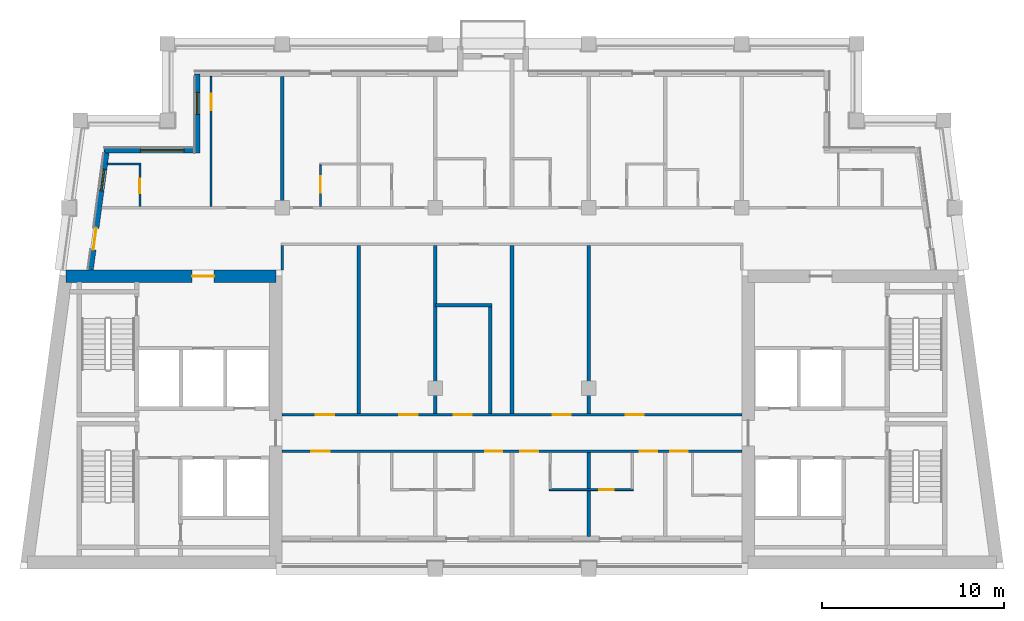
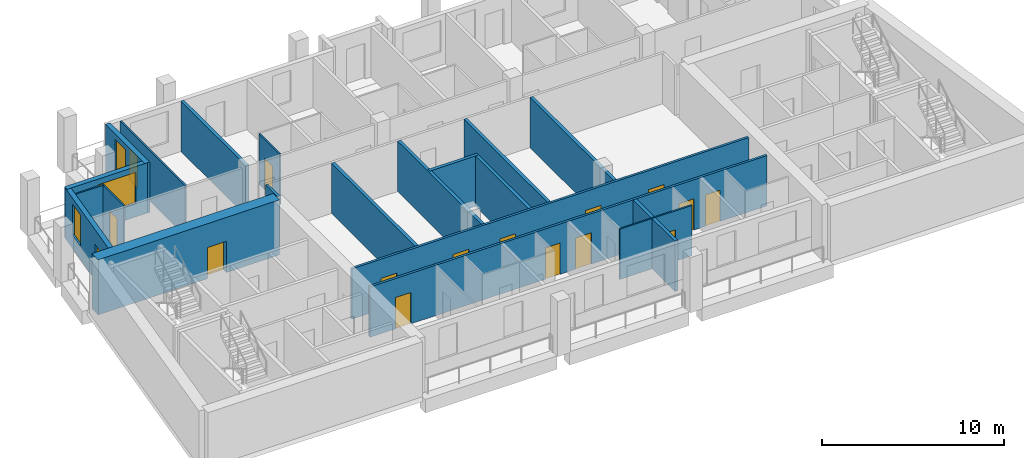
# One storey, part 3 of 9: 20 walls, 16 doors, 3 windows, 19 openings.
"""IFC4 building model written with IfcOpenShell, lengths in metres."""

from ifc_helpers import new_model, si_unit, direction, frame, frame_2d, origin, place, context, subcontext, project, spatial, rectangle, extrude, material, layer, layer_set, type_object, element, fill, save


model = new_model("IFC4")

# Units and contexts
model_context = context("Model", 3, precision=1e-05, world=origin(), true_north=direction((0.0, 1.0)))
body_context = subcontext(model_context, "Body", "Model", "MODEL_VIEW")
ifc_project = project(units=[si_unit("LENGTHUNIT", "METRE"), si_unit("AREAUNIT", "SQUARE_METRE"), si_unit("VOLUMEUNIT", "CUBIC_METRE"), si_unit("PLANEANGLEUNIT", "RADIAN"), si_unit("MASSUNIT", "GRAM", prefix="KILO")], contexts=[model_context])

# Site, building, storey
site_placement = place(None, origin())
site = spatial("IfcSite", under=ifc_project, at=site_placement, CompositionType="ELEMENT")
building_placement = place(site_placement, origin())
building = spatial("IfcBuilding", under=site, at=building_placement, Name="Candeia Pilgrim Tower and Theatre", CompositionType="ELEMENT")
storey_placement = place(building_placement, frame((0.0, 0.0, 296.0)))
storey = spatial("IfcBuildingStorey", under=building, at=storey_placement, Name="L72", CompositionType="ELEMENT", Elevation=296.0)

# Wall, opening, door
ifc_material_1 = material(Name="Concrete C40/50", Category="concrete")
ifc_layer_1 = layer(ifc_material_1, 0.699951171875)
ifc_layer_set_1 = layer_set([ifc_layer_1], Name="Core wall 700 C40/50")
wall_type_1 = type_object("IfcWallType", Name="Core wall 700 C40/50", PredefinedType="SHEAR", material=ifc_layer_set_1)
wall_1_placement = place(storey_placement, frame((88.936767578125, 132.050048828125, 0.0), z_axis=(0.0, 0.0, 1.0), x_axis=(1.0, 0.0, 0.0)))
wall_1 = element("IfcWall", 1, at=wall_1_placement, inside=storey, type_object=wall_type_1, Name="Core wall W1", PredefinedType="SHEAR", context=body_context, shape_type="SweptSolid", body=[
    extrude(rectangle(XDim=11.51318359375, YDim=0.699951171875, at=frame_2d((5.756591796875, 0.0))), origin(), (0.0, 0.0, 1.0), 3.699951171875),
])
opening_1_placement = place(wall_1_placement, frame((6.9267578125, 0.0, 0.0)))
opening_1 = element("IfcOpeningElement", 2, at=opening_1_placement, cuts=wall_1, Name="Opening L72-D044", PredefinedType="OPENING", context=body_context, shape_type="SweptSolid", body=[
    extrude(rectangle(XDim=1.199951171875, YDim=2.10009765625, at=frame_2d((0.60009765625, 1.050048828125))), frame((0.0, 0.35986328125, 0.0), z_axis=(0.0, -1.0, 0.0), x_axis=(1.0, 0.0, 0.0)), (0.0, 0.0, 1.0), 0.719970703125),
])
ifc_material_2 = material(Name="Steel fire door set", Category="steel")
door_type_1 = type_object("IfcDoorType", Name="D-1200-FD60", OperationType="NOTDEFINED", PredefinedType="DOOR", material=ifc_material_2)
door_1_placement = place(opening_1_placement, origin())
door_1 = element("IfcDoor", 3, at=door_1_placement, inside=storey, type_object=door_type_1, Name="Door L72-D044", OperationType="SINGLE_SWING_RIGHT", OverallHeight=2.10009765625, OverallWidth=1.199951171875, PredefinedType="DOOR", context=body_context, shape_type="SweptSolid", body=[
    extrude(rectangle(XDim=1.199951171875, YDim=2.10009765625, at=frame_2d((0.60009765625, 1.050048828125))), frame((0.0, 0.02490234375, 0.0), z_axis=(0.0, -1.0, 0.0), x_axis=(1.0, 0.0, 0.0)), (0.0, 0.0, 1.0), 0.050048828125),
])
fill(opening_1, door_1)

# Wall, openings, door, window
ifc_material_3 = material(Name="Ceramic block masonry", Category="masonry")
ifc_layer_2 = layer(ifc_material_3, 0.300048828125)
ifc_layer_set_2 = layer_set([ifc_layer_2], Name="EW1 glazing-line wall 300")
wall_type_2 = type_object("IfcWallType", Name="EW1 glazing-line wall 300", PredefinedType="SOLIDWALL", material=ifc_layer_set_2)
wall_2_placement = place(storey_placement, frame((91.177490234375, 138.949951171875, 0.0), z_axis=(0.0, 0.0, 1.0), x_axis=(-0.133426664613, -0.991058689065, 0.0)))
wall_2 = element("IfcWall", 4, at=wall_2_placement, inside=storey, type_object=wall_type_2, Name="External wall L72-0.0", PredefinedType="SOLIDWALL", context=body_context, shape_type="SweptSolid", body=[
    extrude(rectangle(XDim=6.609130859375, YDim=0.300048828125, at=frame_2d((3.3046875, 0.0))), origin(), (0.0, 0.0, 1.0), 3.3798828125),
])
opening_2_placement = place(wall_2_placement, frame((1.039306640625, 0.0, 0.89990234375)))
opening_2 = element("IfcOpeningElement", 5, at=opening_2_placement, cuts=wall_2, Name="Opening W-B", PredefinedType="OPENING", context=body_context, shape_type="SweptSolid", body=[
    extrude(rectangle(XDim=1.199951171875, YDim=2.10009765625, at=frame_2d((0.60009765625, 1.050048828125))), frame((0.0, 0.16015625, 0.0), z_axis=(0.0, -1.0, 0.0), x_axis=(1.0, 0.0, 0.0)), (0.0, 0.0, 1.0), 0.320068359375),
])
opening_3_placement = place(wall_2_placement, frame((4.293701171875, 0.0, 0.0)))
opening_3 = element("IfcOpeningElement", 6, at=opening_3_placement, cuts=wall_2, Name="Opening L72-ED667", PredefinedType="OPENING", context=body_context, shape_type="SweptSolid", body=[
    extrude(rectangle(XDim=1.199951171875, YDim=2.39990234375, at=frame_2d((0.60009765625, 1.199951171875))), frame((0.0, 0.16015625, 0.0), z_axis=(0.0, -1.0, 0.0), x_axis=(1.0, 0.0, 0.0)), (0.0, 0.0, 1.0), 0.320068359375),
])
ifc_material_4 = material(Name="Aluminium framed glazed door", Category="aluminium")
door_type_2 = type_object("IfcDoorType", Name="Loggia door 1200x2400", OperationType="DOUBLE_DOOR_SINGLE_SWING", PredefinedType="DOOR", material=ifc_material_4)
door_2_placement = place(opening_3_placement, origin())
door_2 = element("IfcDoor", 7, at=door_2_placement, inside=storey, type_object=door_type_2, Name="Loggia door L72-ED667", OperationType="DOUBLE_DOOR_SINGLE_SWING", OverallHeight=2.39990234375, OverallWidth=1.199951171875, PredefinedType="DOOR", context=body_context, shape_type="SweptSolid", body=[
    extrude(rectangle(XDim=1.199951171875, YDim=2.39990234375, at=frame_2d((0.60009765625, 1.199951171875))), frame((0.0, 0.02490234375, 0.0), z_axis=(0.0, -1.0, 0.0), x_axis=(1.0, 0.0, 0.0)), (0.0, 0.0, 1.0), 0.050048828125),
])
fill(opening_3, door_2)
ifc_material_5 = material(Name="Aluminium framed double glazing", Category="aluminium")
window_type_1 = type_object("IfcWindowType", Name="W-B window 1200x2100", PartitioningType="SINGLE_PANEL", PredefinedType="WINDOW", material=ifc_material_5)
window_1_placement = place(opening_2_placement, origin())
window_1 = element("IfcWindow", 8, at=window_1_placement, inside=storey, type_object=window_type_1, Name="Window W-B L72", OverallHeight=2.10009765625, OverallWidth=1.199951171875, PartitioningType="SINGLE_PANEL", PredefinedType="WINDOW", context=body_context, shape_type="SweptSolid", body=[
    extrude(rectangle(XDim=1.199951171875, YDim=2.10009765625, at=frame_2d((0.60009765625, 1.050048828125))), frame((0.0, 0.030029296875, 0.0), z_axis=(0.0, -1.0, 0.0), x_axis=(1.0, 0.0, 0.0)), (0.0, 0.0, 1.0), 0.06005859375),
])
fill(opening_2, window_1)

# Wall, opening, window
wall_3_placement = place(storey_placement, frame((96.14990234375, 143.14990234375, 0.0), z_axis=(0.0, 0.0, 1.0), x_axis=(0.0, -1.0, 0.0)))
wall_3 = element("IfcWall", 9, at=wall_3_placement, inside=storey, type_object=wall_type_2, Name="External wall L72-6.0", PredefinedType="SOLIDWALL", context=body_context, shape_type="SweptSolid", body=[
    extrude(rectangle(XDim=4.349853515625, YDim=0.300048828125, at=frame_2d((2.1748046875, 0.0))), origin(), (0.0, 0.0, 1.0), 3.3798828125),
])
opening_4_placement = place(wall_3_placement, frame((1.02490234375, 0.0, 0.89990234375)))
opening_4 = element("IfcOpeningElement", 10, at=opening_4_placement, cuts=wall_3, Name="Opening W-B", PredefinedType="OPENING", context=body_context, shape_type="SweptSolid", body=[
    extrude(rectangle(XDim=1.199951171875, YDim=2.10009765625, at=frame_2d((0.60009765625, 1.050048828125))), frame((0.0, 0.16015625, 0.0), z_axis=(0.0, -1.0, 0.0), x_axis=(1.0, 0.0, 0.0)), (0.0, 0.0, 1.0), 0.320068359375),
])
window_2_placement = place(opening_4_placement, origin())
window_2 = element("IfcWindow", 11, at=window_2_placement, inside=storey, type_object=window_type_1, Name="Window W-B L72", OverallHeight=2.10009765625, OverallWidth=1.199951171875, PartitioningType="SINGLE_PANEL", PredefinedType="WINDOW", context=body_context, shape_type="SweptSolid", body=[
    extrude(rectangle(XDim=1.199951171875, YDim=2.10009765625, at=frame_2d((0.60009765625, 1.050048828125))), frame((0.0, 0.030029296875, 0.0), z_axis=(0.0, -1.0, 0.0), x_axis=(1.0, 0.0, 0.0)), (0.0, 0.0, 1.0), 0.06005859375),
])
fill(opening_4, window_2)

wall_4_placement = place(storey_placement, frame((96.14990234375, 138.949951171875, 0.0), z_axis=(0.0, 0.0, 1.0), x_axis=(-1.0, 0.0, 0.0)))
wall_4 = element("IfcWall", 12, at=wall_4_placement, inside=storey, type_object=wall_type_2, Name="External wall L72-7.0", PredefinedType="SOLIDWALL", context=body_context, shape_type="SweptSolid", body=[
    extrude(rectangle(XDim=5.103759765625, YDim=0.300048828125, at=frame_2d((2.5517578125, 0.0))), origin(), (0.0, 0.0, 1.0), 3.3798828125),
])
opening_5_placement = place(wall_4_placement, frame((0.72509765625, 0.0, 0.89990234375)))
opening_5 = element("IfcOpeningElement", 13, at=opening_5_placement, cuts=wall_4, Name="Opening W-A", PredefinedType="OPENING", context=body_context, shape_type="SweptSolid", body=[
    extrude(rectangle(XDim=2.39990234375, YDim=2.10009765625, at=frame_2d((1.199951171875, 1.050048828125))), frame((0.0, 0.16015625, 0.0), z_axis=(0.0, -1.0, 0.0), x_axis=(1.0, 0.0, 0.0)), (0.0, 0.0, 1.0), 0.320068359375),
])
window_type_2 = type_object("IfcWindowType", Name="W-A window 2400x2100", PartitioningType="DOUBLE_PANEL_VERTICAL", PredefinedType="WINDOW", material=ifc_material_5)
window_3_placement = place(opening_5_placement, origin())
window_3 = element("IfcWindow", 14, at=window_3_placement, inside=storey, type_object=window_type_2, Name="Window W-A L72", OverallHeight=2.10009765625, OverallWidth=2.39990234375, PartitioningType="SINGLE_PANEL", PredefinedType="WINDOW", context=body_context, shape_type="SweptSolid", body=[
    extrude(rectangle(XDim=2.39990234375, YDim=2.10009765625, at=frame_2d((1.199951171875, 1.050048828125))), frame((0.0, 0.030029296875, 0.0), z_axis=(0.0, -1.0, 0.0), x_axis=(1.0, 0.0, 0.0)), (0.0, 0.0, 1.0), 0.06005859375),
])
fill(opening_5, window_3)

# Wall, opening, door
ifc_material_6 = material(Name="Gypsum board partition on steel studs", Category="steel")
ifc_layer_3 = layer(ifc_material_6, 0.10009765625)
ifc_layer_set_3 = layer_set([ifc_layer_3], Name="PW-100 room partition")
wall_type_3 = type_object("IfcWallType", Name="PW-100 room partition", PredefinedType="PARTITIONING", material=ifc_layer_set_3)
wall_5_placement = place(storey_placement, frame((115.449951171875, 120.35009765625, 0.0), z_axis=(0.0, 0.0, 1.0), x_axis=(1.0, 0.0, 0.0)))
wall_5 = element("IfcWall", 15, at=wall_5_placement, inside=storey, type_object=wall_type_3, Name="Room partition L72-011", PredefinedType="PARTITIONING", context=body_context, shape_type="SweptSolid", body=[
    extrude(rectangle(XDim=4.60009765625, YDim=0.10009765625, at=frame_2d((2.300048828125, 0.0))), origin(), (0.0, 0.0, 1.0), 3.3798828125),
])
opening_6_placement = place(wall_5_placement, frame((2.72509765625, 0.0, 0.0)))
opening_6 = element("IfcOpeningElement", 16, at=opening_6_placement, cuts=wall_5, Name="Opening L72-D017", PredefinedType="OPENING", context=body_context, shape_type="SweptSolid", body=[
    extrude(rectangle(XDim=0.800048828125, YDim=2.10009765625, at=frame_2d((0.39990234375, 1.050048828125))), frame((0.0, 0.06005859375, 0.0), z_axis=(0.0, -1.0, 0.0), x_axis=(1.0, 0.0, 0.0)), (0.0, 0.0, 1.0), 0.1201171875),
])
ifc_material_7 = material(Name="Timber door leaf", Category="wood")
door_type_3 = type_object("IfcDoorType", Name="D-800", OperationType="NOTDEFINED", PredefinedType="DOOR", material=ifc_material_7)
door_3_placement = place(opening_6_placement, origin())
door_3 = element("IfcDoor", 17, at=door_3_placement, inside=storey, type_object=door_type_3, Name="Door L72-D017", OperationType="SINGLE_SWING_LEFT", OverallHeight=2.10009765625, OverallWidth=0.800048828125, PredefinedType="DOOR", context=body_context, shape_type="SweptSolid", body=[
    extrude(rectangle(XDim=0.800048828125, YDim=2.10009765625, at=frame_2d((0.39990234375, 1.050048828125))), frame((0.0, 0.02490234375, 0.0), z_axis=(0.0, -1.0, 0.0), x_axis=(1.0, 0.0, 0.0)), (0.0, 0.0, 1.0), 0.050048828125),
])
fill(opening_6, door_3)

# Wall
wall_6_placement = place(storey_placement, frame((91.2177734375, 138.199951171875, 0.0), z_axis=(0.0, 0.0, 1.0), x_axis=(1.0, 0.0, 0.0)))
element("IfcWall", 18, at=wall_6_placement, inside=storey, type_object=wall_type_3, Name="Room partition L72-035", PredefinedType="PARTITIONING", context=body_context, shape_type="SweptSolid", body=[
    extrude(rectangle(XDim=1.832275390625, YDim=0.10009765625, at=frame_2d((0.916015625, 0.0))), origin(), (0.0, 0.0, 1.0), 3.3798828125),
])

# Wall, opening, door
wall_7_placement = place(storey_placement, frame((93.0, 135.875, 0.0), z_axis=(0.0, 0.0, 1.0), x_axis=(0.0, 1.0, 0.0)))
wall_7 = element("IfcWall", 19, at=wall_7_placement, inside=storey, type_object=wall_type_3, Name="Room partition L72-045", PredefinedType="PARTITIONING", context=body_context, shape_type="SweptSolid", body=[
    extrude(rectangle(XDim=2.27490234375, YDim=0.10009765625, at=frame_2d((1.137451171875, 0.0))), origin(), (0.0, 0.0, 1.0), 3.3798828125),
])
opening_7_placement = place(wall_7_placement, frame((0.72509765625, 0.0, 0.0)))
opening_7 = element("IfcOpeningElement", 20, at=opening_7_placement, cuts=wall_7, Name="Opening L72-D022", PredefinedType="OPENING", context=body_context, shape_type="SweptSolid", body=[
    extrude(rectangle(XDim=0.800048828125, YDim=2.10009765625, at=frame_2d((0.39990234375, 1.050048828125))), frame((0.0, 0.06005859375, 0.0), z_axis=(0.0, -1.0, 0.0), x_axis=(1.0, 0.0, 0.0)), (0.0, 0.0, 1.0), 0.1201171875),
])
door_4_placement = place(opening_7_placement, origin())
door_4 = element("IfcDoor", 21, at=door_4_placement, inside=storey, type_object=door_type_3, Name="Door L72-D022", OperationType="SINGLE_SWING_RIGHT", OverallHeight=2.10009765625, OverallWidth=0.800048828125, PredefinedType="DOOR", context=body_context, shape_type="SweptSolid", body=[
    extrude(rectangle(XDim=0.800048828125, YDim=2.10009765625, at=frame_2d((0.39990234375, 1.050048828125))), frame((0.0, 0.02490234375, 0.0), z_axis=(0.0, -1.0, 0.0), x_axis=(1.0, 0.0, 0.0)), (0.0, 0.0, 1.0), 0.050048828125),
])
fill(opening_7, door_4)

wall_8_placement = place(storey_placement, frame((96.89990234375, 135.875, 0.0), z_axis=(0.0, 0.0, 1.0), x_axis=(0.0, 1.0, 0.0)))
wall_8 = element("IfcWall", 22, at=wall_8_placement, inside=storey, type_object=wall_type_3, Name="Room partition L72-048", PredefinedType="PARTITIONING", context=body_context, shape_type="SweptSolid", body=[
    extrude(rectangle(XDim=7.135009765625, YDim=0.10009765625, at=frame_2d((3.5673828125, 0.0))), origin(), (0.0, 0.0, 1.0), 3.3798828125),
])
opening_8_placement = place(wall_8_placement, frame((5.2900390625, 0.0, 0.0)))
opening_8 = element("IfcOpeningElement", 23, at=opening_8_placement, cuts=wall_8, Name="Opening L72-D021", PredefinedType="OPENING", context=body_context, shape_type="SweptSolid", body=[
    extrude(rectangle(XDim=0.89990234375, YDim=2.10009765625, at=frame_2d((0.449951171875, 1.050048828125))), frame((0.0, 0.06005859375, 0.0), z_axis=(0.0, -1.0, 0.0), x_axis=(1.0, 0.0, 0.0)), (0.0, 0.0, 1.0), 0.1201171875),
])
door_type_4 = type_object("IfcDoorType", Name="D-900", OperationType="NOTDEFINED", PredefinedType="DOOR", material=ifc_material_7)
door_5_placement = place(opening_8_placement, origin())
door_5 = element("IfcDoor", 24, at=door_5_placement, inside=storey, type_object=door_type_4, Name="Door L72-D021", OperationType="SINGLE_SWING_LEFT", OverallHeight=2.10009765625, OverallWidth=0.89990234375, PredefinedType="DOOR", context=body_context, shape_type="SweptSolid", body=[
    extrude(rectangle(XDim=0.89990234375, YDim=2.10009765625, at=frame_2d((0.449951171875, 1.050048828125))), frame((0.0, 0.02490234375, 0.0), z_axis=(0.0, -1.0, 0.0), x_axis=(1.0, 0.0, 0.0)), (0.0, 0.0, 1.0), 0.050048828125),
])
fill(opening_8, door_5)

wall_9_placement = place(storey_placement, frame((102.89990234375, 135.875, 0.0), z_axis=(0.0, 0.0, 1.0), x_axis=(0.0, 1.0, 0.0)))
wall_9 = element("IfcWall", 25, at=wall_9_placement, inside=storey, type_object=wall_type_3, Name="Room partition L72-053", PredefinedType="PARTITIONING", context=body_context, shape_type="SweptSolid", body=[
    extrude(rectangle(XDim=2.27490234375, YDim=0.10009765625, at=frame_2d((1.137451171875, 0.0))), origin(), (0.0, 0.0, 1.0), 3.3798828125),
])
opening_9_placement = place(wall_9_placement, frame((0.7548828125, 0.0, 0.0)))
opening_9 = element("IfcOpeningElement", 26, at=opening_9_placement, cuts=wall_9, Name="Opening L72-D024", PredefinedType="OPENING", context=body_context, shape_type="SweptSolid", body=[
    extrude(rectangle(XDim=0.89990234375, YDim=2.10009765625, at=frame_2d((0.449951171875, 1.050048828125))), frame((0.0, 0.06005859375, 0.0), z_axis=(0.0, -1.0, 0.0), x_axis=(1.0, 0.0, 0.0)), (0.0, 0.0, 1.0), 0.1201171875),
])
door_6_placement = place(opening_9_placement, origin())
door_6 = element("IfcDoor", 27, at=door_6_placement, inside=storey, type_object=door_type_4, Name="Door L72-D024", OperationType="SINGLE_SWING_RIGHT", OverallHeight=2.10009765625, OverallWidth=0.89990234375, PredefinedType="DOOR", context=body_context, shape_type="SweptSolid", body=[
    extrude(rectangle(XDim=0.89990234375, YDim=2.10009765625, at=frame_2d((0.449951171875, 1.050048828125))), frame((0.0, 0.02490234375, 0.0), z_axis=(0.0, -1.0, 0.0), x_axis=(1.0, 0.0, 0.0)), (0.0, 0.0, 1.0), 0.050048828125),
])
fill(opening_9, door_6)

# Wall, openings, doors
ifc_layer_4 = layer(ifc_material_6, 0.14990234375)
ifc_layer_set_4 = layer_set([ifc_layer_4], Name="PW-150 unit wall")
wall_type_4 = type_object("IfcWallType", Name="PW-150 unit wall", PredefinedType="PARTITIONING", material=ifc_layer_set_4)
wall_10_placement = place(storey_placement, frame((100.800048828125, 122.449951171875, 0.0), z_axis=(0.0, 0.0, 1.0), x_axis=(1.0, 0.0, 0.0)))
wall_10 = element("IfcWall", 28, at=wall_10_placement, inside=storey, type_object=wall_type_4, Name="Unit wall L72-016", PredefinedType="PARTITIONING", context=body_context, shape_type="SweptSolid", body=[
    extrude(rectangle(XDim=25.199951171875, YDim=0.14990234375, at=frame_2d((12.60009765625, 0.0))), origin(), (0.0, 0.0, 1.0), 3.3798828125),
])
opening_10_placement = place(wall_10_placement, frame((1.60009765625, 0.0, 0.0)))
opening_10 = element("IfcOpeningElement", 29, at=opening_10_placement, cuts=wall_10, Name="Opening L72-D009", PredefinedType="OPENING", context=body_context, shape_type="SweptSolid", body=[
    extrude(rectangle(XDim=1.0, YDim=2.10009765625, at=frame_2d((0.5, 1.050048828125))), frame((0.0, 0.0849609375, 0.0), z_axis=(0.0, -1.0, 0.0), x_axis=(1.0, 0.0, 0.0)), (0.0, 0.0, 1.0), 0.169921875),
])
opening_11_placement = place(wall_10_placement, frame((11.1201171875, 0.0, 0.0)))
opening_11 = element("IfcOpeningElement", 30, at=opening_11_placement, cuts=wall_10, Name="Opening L72-D012", PredefinedType="OPENING", context=body_context, shape_type="SweptSolid", body=[
    extrude(rectangle(XDim=0.949951171875, YDim=2.10009765625, at=frame_2d((0.47509765625, 1.050048828125))), frame((0.0, 0.0849609375, 0.0), z_axis=(0.0, -1.0, 0.0), x_axis=(1.0, 0.0, 0.0)), (0.0, 0.0, 1.0), 0.169921875),
])
opening_12_placement = place(wall_10_placement, frame((13.050048828125, 0.0, 0.0)))
opening_12 = element("IfcOpeningElement", 31, at=opening_12_placement, cuts=wall_10, Name="Opening L72-D014", PredefinedType="OPENING", context=body_context, shape_type="SweptSolid", body=[
    extrude(rectangle(XDim=1.0, YDim=2.10009765625, at=frame_2d((0.5, 1.050048828125))), frame((0.0, 0.0849609375, 0.0), z_axis=(0.0, -1.0, 0.0), x_axis=(1.0, 0.0, 0.0)), (0.0, 0.0, 1.0), 0.169921875),
])
opening_13_placement = place(wall_10_placement, frame((19.610107421875, 0.0, 0.0)))
opening_13 = element("IfcOpeningElement", 32, at=opening_13_placement, cuts=wall_10, Name="Opening L72-D016", PredefinedType="OPENING", context=body_context, shape_type="SweptSolid", body=[
    extrude(rectangle(XDim=0.949951171875, YDim=2.10009765625, at=frame_2d((0.47509765625, 1.050048828125))), frame((0.0, 0.0849609375, 0.0), z_axis=(0.0, -1.0, 0.0), x_axis=(1.0, 0.0, 0.0)), (0.0, 0.0, 1.0), 0.169921875),
])
opening_14_placement = place(wall_10_placement, frame((21.27490234375, 0.0, 0.0)))
opening_14 = element("IfcOpeningElement", 33, at=opening_14_placement, cuts=wall_10, Name="Opening L72-D018", PredefinedType="OPENING", context=body_context, shape_type="SweptSolid", body=[
    extrude(rectangle(XDim=0.949951171875, YDim=2.10009765625, at=frame_2d((0.47509765625, 1.050048828125))), frame((0.0, 0.0849609375, 0.0), z_axis=(0.0, -1.0, 0.0), x_axis=(1.0, 0.0, 0.0)), (0.0, 0.0, 1.0), 0.169921875),
])
door_type_5 = type_object("IfcDoorType", Name="D-1000-FD30S", OperationType="NOTDEFINED", PredefinedType="DOOR", material=ifc_material_2)
door_7_placement = place(opening_10_placement, origin())
door_7 = element("IfcDoor", 34, at=door_7_placement, inside=storey, type_object=door_type_5, Name="Door L72-D009", OperationType="SINGLE_SWING_LEFT", OverallHeight=2.10009765625, OverallWidth=1.0, PredefinedType="DOOR", context=body_context, shape_type="SweptSolid", body=[
    extrude(rectangle(XDim=1.0, YDim=2.10009765625, at=frame_2d((0.5, 1.050048828125))), frame((0.0, 0.02490234375, 0.0), z_axis=(0.0, -1.0, 0.0), x_axis=(1.0, 0.0, 0.0)), (0.0, 0.0, 1.0), 0.050048828125),
])
fill(opening_10, door_7)
door_8_placement = place(opening_12_placement, origin())
door_8 = element("IfcDoor", 35, at=door_8_placement, inside=storey, type_object=door_type_5, Name="Door L72-D014", OperationType="SINGLE_SWING_RIGHT", OverallHeight=2.10009765625, OverallWidth=1.0, PredefinedType="DOOR", context=body_context, shape_type="SweptSolid", body=[
    extrude(rectangle(XDim=1.0, YDim=2.10009765625, at=frame_2d((0.5, 1.050048828125))), frame((0.0, 0.02490234375, 0.0), z_axis=(0.0, -1.0, 0.0), x_axis=(1.0, 0.0, 0.0)), (0.0, 0.0, 1.0), 0.050048828125),
])
fill(opening_12, door_8)
door_type_6 = type_object("IfcDoorType", Name="D-950-FD30S", OperationType="NOTDEFINED", PredefinedType="DOOR", material=ifc_material_2)
door_9_placement = place(opening_11_placement, origin())
door_9 = element("IfcDoor", 36, at=door_9_placement, inside=storey, type_object=door_type_6, Name="Door L72-D012", OperationType="SINGLE_SWING_RIGHT", OverallHeight=2.10009765625, OverallWidth=0.949951171875, PredefinedType="DOOR", context=body_context, shape_type="SweptSolid", body=[
    extrude(rectangle(XDim=0.949951171875, YDim=2.10009765625, at=frame_2d((0.47509765625, 1.050048828125))), frame((0.0, 0.02490234375, 0.0), z_axis=(0.0, -1.0, 0.0), x_axis=(1.0, 0.0, 0.0)), (0.0, 0.0, 1.0), 0.050048828125),
])
fill(opening_11, door_9)
door_10_placement = place(opening_13_placement, origin())
door_10 = element("IfcDoor", 37, at=door_10_placement, inside=storey, type_object=door_type_6, Name="Door L72-D016", OperationType="SINGLE_SWING_RIGHT", OverallHeight=2.10009765625, OverallWidth=0.949951171875, PredefinedType="DOOR", context=body_context, shape_type="SweptSolid", body=[
    extrude(rectangle(XDim=0.949951171875, YDim=2.10009765625, at=frame_2d((0.47509765625, 1.050048828125))), frame((0.0, 0.02490234375, 0.0), z_axis=(0.0, -1.0, 0.0), x_axis=(1.0, 0.0, 0.0)), (0.0, 0.0, 1.0), 0.050048828125),
])
fill(opening_13, door_10)
door_11_placement = place(opening_14_placement, origin())
door_11 = element("IfcDoor", 38, at=door_11_placement, inside=storey, type_object=door_type_6, Name="Door L72-D018", OperationType="SINGLE_SWING_RIGHT", OverallHeight=2.10009765625, OverallWidth=0.949951171875, PredefinedType="DOOR", context=body_context, shape_type="SweptSolid", body=[
    extrude(rectangle(XDim=0.949951171875, YDim=2.10009765625, at=frame_2d((0.47509765625, 1.050048828125))), frame((0.0, 0.02490234375, 0.0), z_axis=(0.0, -1.0, 0.0), x_axis=(1.0, 0.0, 0.0)), (0.0, 0.0, 1.0), 0.050048828125),
])
fill(opening_14, door_11)

wall_11_placement = place(storey_placement, frame((100.800048828125, 124.449951171875, 0.0), z_axis=(0.0, 0.0, 1.0), x_axis=(1.0, 0.0, 0.0)))
wall_11 = element("IfcWall", 39, at=wall_11_placement, inside=storey, type_object=wall_type_4, Name="Unit wall L72-021", PredefinedType="PARTITIONING", context=body_context, shape_type="SweptSolid", body=[
    extrude(rectangle(XDim=25.199951171875, YDim=0.14990234375, at=frame_2d((12.60009765625, 0.0))), origin(), (0.0, 0.0, 1.0), 3.3798828125),
])
opening_15_placement = place(wall_11_placement, frame((1.85009765625, 0.0, 0.0)))
opening_15 = element("IfcOpeningElement", 40, at=opening_15_placement, cuts=wall_11, Name="Opening L72-D039", PredefinedType="OPENING", context=body_context, shape_type="SweptSolid", body=[
    extrude(rectangle(XDim=1.0, YDim=2.10009765625, at=frame_2d((0.5, 1.050048828125))), frame((0.0, 0.0849609375, 0.0), z_axis=(0.0, -1.0, 0.0), x_axis=(1.0, 0.0, 0.0)), (0.0, 0.0, 1.0), 0.169921875),
])
opening_16_placement = place(wall_11_placement, frame((6.425048828125, 0.0, 0.0)))
opening_16 = element("IfcOpeningElement", 41, at=opening_16_placement, cuts=wall_11, Name="Opening L72-D040", PredefinedType="OPENING", context=body_context, shape_type="SweptSolid", body=[
    extrude(rectangle(XDim=1.0, YDim=2.10009765625, at=frame_2d((0.5, 1.050048828125))), frame((0.0, 0.0849609375, 0.0), z_axis=(0.0, -1.0, 0.0), x_axis=(1.0, 0.0, 0.0)), (0.0, 0.0, 1.0), 0.169921875),
])
opening_17_placement = place(wall_11_placement, frame((9.39990234375, 0.0, 0.0)))
opening_17 = element("IfcOpeningElement", 42, at=opening_17_placement, cuts=wall_11, Name="Opening L72-D041", PredefinedType="OPENING", context=body_context, shape_type="SweptSolid", body=[
    extrude(rectangle(XDim=1.0, YDim=2.10009765625, at=frame_2d((0.5, 1.050048828125))), frame((0.0, 0.0849609375, 0.0), z_axis=(0.0, -1.0, 0.0), x_axis=(1.0, 0.0, 0.0)), (0.0, 0.0, 1.0), 0.169921875),
])
opening_18_placement = place(wall_11_placement, frame((14.824951171875, 0.0, 0.0)))
opening_18 = element("IfcOpeningElement", 43, at=opening_18_placement, cuts=wall_11, Name="Opening L72-D042", PredefinedType="OPENING", context=body_context, shape_type="SweptSolid", body=[
    extrude(rectangle(XDim=1.0, YDim=2.10009765625, at=frame_2d((0.5, 1.050048828125))), frame((0.0, 0.0849609375, 0.0), z_axis=(0.0, -1.0, 0.0), x_axis=(1.0, 0.0, 0.0)), (0.0, 0.0, 1.0), 0.169921875),
])
opening_19_placement = place(wall_11_placement, frame((18.824951171875, 0.0, 0.0)))
opening_19 = element("IfcOpeningElement", 44, at=opening_19_placement, cuts=wall_11, Name="Opening L72-D043", PredefinedType="OPENING", context=body_context, shape_type="SweptSolid", body=[
    extrude(rectangle(XDim=1.0, YDim=2.10009765625, at=frame_2d((0.5, 1.050048828125))), frame((0.0, 0.0849609375, 0.0), z_axis=(0.0, -1.0, 0.0), x_axis=(1.0, 0.0, 0.0)), (0.0, 0.0, 1.0), 0.169921875),
])
door_12_placement = place(opening_15_placement, origin())
door_12 = element("IfcDoor", 45, at=door_12_placement, inside=storey, type_object=door_type_5, Name="Door L72-D039", OperationType="SINGLE_SWING_LEFT", OverallHeight=2.10009765625, OverallWidth=1.0, PredefinedType="DOOR", context=body_context, shape_type="SweptSolid", body=[
    extrude(rectangle(XDim=1.0, YDim=2.10009765625, at=frame_2d((0.5, 1.050048828125))), frame((0.0, 0.02490234375, 0.0), z_axis=(0.0, -1.0, 0.0), x_axis=(1.0, 0.0, 0.0)), (0.0, 0.0, 1.0), 0.050048828125),
])
fill(opening_15, door_12)
door_13_placement = place(opening_16_placement, origin())
door_13 = element("IfcDoor", 46, at=door_13_placement, inside=storey, type_object=door_type_5, Name="Door L72-D040", OperationType="SINGLE_SWING_RIGHT", OverallHeight=2.10009765625, OverallWidth=1.0, PredefinedType="DOOR", context=body_context, shape_type="SweptSolid", body=[
    extrude(rectangle(XDim=1.0, YDim=2.10009765625, at=frame_2d((0.5, 1.050048828125))), frame((0.0, 0.02490234375, 0.0), z_axis=(0.0, -1.0, 0.0), x_axis=(1.0, 0.0, 0.0)), (0.0, 0.0, 1.0), 0.050048828125),
])
fill(opening_16, door_13)
door_14_placement = place(opening_17_placement, origin())
door_14 = element("IfcDoor", 47, at=door_14_placement, inside=storey, type_object=door_type_5, Name="Door L72-D041", OperationType="SINGLE_SWING_LEFT", OverallHeight=2.10009765625, OverallWidth=1.0, PredefinedType="DOOR", context=body_context, shape_type="SweptSolid", body=[
    extrude(rectangle(XDim=1.0, YDim=2.10009765625, at=frame_2d((0.5, 1.050048828125))), frame((0.0, 0.02490234375, 0.0), z_axis=(0.0, -1.0, 0.0), x_axis=(1.0, 0.0, 0.0)), (0.0, 0.0, 1.0), 0.050048828125),
])
fill(opening_17, door_14)
door_15_placement = place(opening_18_placement, origin())
door_15 = element("IfcDoor", 48, at=door_15_placement, inside=storey, type_object=door_type_5, Name="Door L72-D042", OperationType="SINGLE_SWING_RIGHT", OverallHeight=2.10009765625, OverallWidth=1.0, PredefinedType="DOOR", context=body_context, shape_type="SweptSolid", body=[
    extrude(rectangle(XDim=1.0, YDim=2.10009765625, at=frame_2d((0.5, 1.050048828125))), frame((0.0, 0.02490234375, 0.0), z_axis=(0.0, -1.0, 0.0), x_axis=(1.0, 0.0, 0.0)), (0.0, 0.0, 1.0), 0.050048828125),
])
fill(opening_18, door_15)
door_16_placement = place(opening_19_placement, origin())
door_16 = element("IfcDoor", 49, at=door_16_placement, inside=storey, type_object=door_type_5, Name="Door L72-D043", OperationType="SINGLE_SWING_LEFT", OverallHeight=2.10009765625, OverallWidth=1.0, PredefinedType="DOOR", context=body_context, shape_type="SweptSolid", body=[
    extrude(rectangle(XDim=1.0, YDim=2.10009765625, at=frame_2d((0.5, 1.050048828125))), frame((0.0, 0.02490234375, 0.0), z_axis=(0.0, -1.0, 0.0), x_axis=(1.0, 0.0, 0.0)), (0.0, 0.0, 1.0), 0.050048828125),
])
fill(opening_19, door_16)

# Walls
wall_12_placement = place(storey_placement, frame((100.800048828125, 132.39990234375, 0.0), z_axis=(0.0, 0.0, 1.0), x_axis=(0.0, 1.0, 0.0)))
element("IfcWall", 50, at=wall_12_placement, inside=storey, type_object=wall_type_4, Name="Unit wall L72-052", PredefinedType="PARTITIONING", context=body_context, shape_type="SweptSolid", body=[
    extrude(rectangle(XDim=1.3251953125, YDim=0.14990234375, at=frame_2d((0.66259765625, 0.0))), origin(), (0.0, 0.0, 1.0), 3.3798828125),
])
ifc_layer_5 = layer(ifc_material_6, 0.199951171875)
ifc_layer_set_5 = layer_set([ifc_layer_5], Name="PW-200 party wall")
wall_type_5 = type_object("IfcWallType", Name="PW-200 party wall", PredefinedType="PARTITIONING", material=ifc_layer_set_5)
wall_13_placement = place(storey_placement, frame((109.199951171875, 130.449951171875, 0.0), z_axis=(0.0, 0.0, 1.0), x_axis=(1.0, 0.0, 0.0)))
element("IfcWall", 51, at=wall_13_placement, inside=storey, type_object=wall_type_5, Name="Party wall L72-028", PredefinedType="PARTITIONING", context=body_context, shape_type="SweptSolid", body=[
    extrude(rectangle(XDim=3.10009765625, YDim=0.199951171875, at=frame_2d((1.550048828125, 0.0))), origin(), (0.0, 0.0, 1.0), 3.3798828125),
])
wall_14_placement = place(storey_placement, frame((100.800048828125, 135.875, 0.0), z_axis=(0.0, 0.0, 1.0), x_axis=(0.0, 1.0, 0.0)))
element("IfcWall", 52, at=wall_14_placement, inside=storey, type_object=wall_type_5, Name="Party wall L72-051", PredefinedType="PARTITIONING", context=body_context, shape_type="SweptSolid", body=[
    extrude(rectangle(XDim=7.135009765625, YDim=0.199951171875, at=frame_2d((3.5673828125, 0.0))), origin(), (0.0, 0.0, 1.0), 3.3798828125),
])
for number, where, z_axis, x_axis, name in (
    (53, (105.0, 124.52490234375, 0.0), (0.0, 0.0, 1.0), (0.0, 1.0, 0.0), "Party wall L72-055"),
    (54, (109.199951171875, 124.52490234375, 0.0), (0.0, 0.0, 1.0), (0.0, 1.0, 0.0), "Party wall L72-060"),
):
    element("IfcWall", number, at=place(storey_placement, frame(where, z_axis=z_axis, x_axis=x_axis)), inside=storey, type_object=wall_type_5, Name=name, PredefinedType="PARTITIONING", context=body_context, shape_type="SweptSolid", body=[
        extrude(rectangle(XDim=9.2001953125, YDim=0.199951171875, at=frame_2d((4.60009765625, 0.0))), origin(), (0.0, 0.0, 1.0), 3.3798828125),
    ])
wall_15_placement = place(storey_placement, frame((112.199951171875, 124.52490234375, 0.0), z_axis=(0.0, 0.0, 1.0), x_axis=(0.0, 1.0, 0.0)))
element("IfcWall", 55, at=wall_15_placement, inside=storey, type_object=wall_type_5, Name="Party wall L72-064", PredefinedType="PARTITIONING", context=body_context, shape_type="SweptSolid", body=[
    extrude(rectangle(XDim=5.8251953125, YDim=0.199951171875, at=frame_2d((2.91259765625, 0.0))), origin(), (0.0, 0.0, 1.0), 3.3798828125),
])
wall_16_placement = place(storey_placement, frame((113.39990234375, 124.52490234375, 0.0), z_axis=(0.0, 0.0, 1.0), x_axis=(0.0, 1.0, 0.0)))
element("IfcWall", 56, at=wall_16_placement, inside=storey, type_object=wall_type_5, Name="Party wall L72-066", PredefinedType="PARTITIONING", context=body_context, shape_type="SweptSolid", body=[
    extrude(rectangle(XDim=9.2001953125, YDim=0.199951171875, at=frame_2d((4.60009765625, 0.0))), origin(), (0.0, 0.0, 1.0), 3.3798828125),
])
wall_17_placement = place(storey_placement, frame((117.60009765625, 117.7900390625, 0.0), z_axis=(0.0, 0.0, 1.0), x_axis=(0.0, 1.0, 0.0)))
element("IfcWall", 57, at=wall_17_placement, inside=storey, type_object=wall_type_5, Name="Party wall L72-070", PredefinedType="PARTITIONING", context=body_context, shape_type="SweptSolid", body=[
    extrude(rectangle(XDim=4.5849609375, YDim=0.199951171875, at=frame_2d((2.29248046875, 0.0))), origin(), (0.0, 0.0, 1.0), 3.3798828125),
])
wall_18_placement = place(storey_placement, frame((117.60009765625, 124.52490234375, 0.0), z_axis=(0.0, 0.0, 1.0), x_axis=(0.0, 1.0, 0.0)))
element("IfcWall", 58, at=wall_18_placement, inside=storey, type_object=wall_type_5, Name="Party wall L72-071", PredefinedType="PARTITIONING", context=body_context, shape_type="SweptSolid", body=[
    extrude(rectangle(XDim=9.2001953125, YDim=0.199951171875, at=frame_2d((4.60009765625, 0.0))), origin(), (0.0, 0.0, 1.0), 3.3798828125),
])

save(model, "model.ifc")
